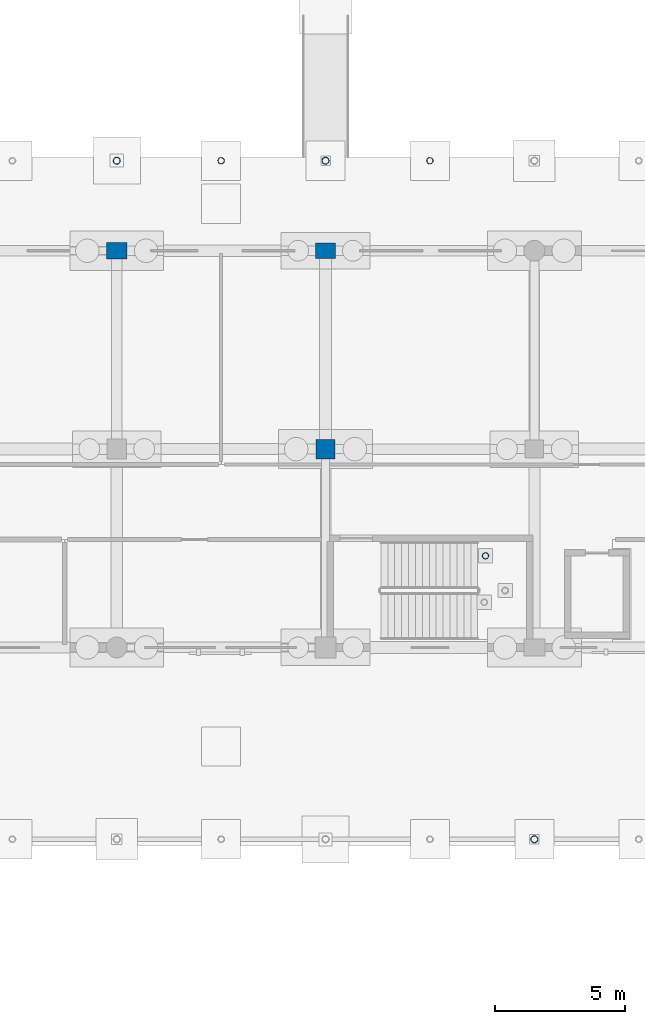
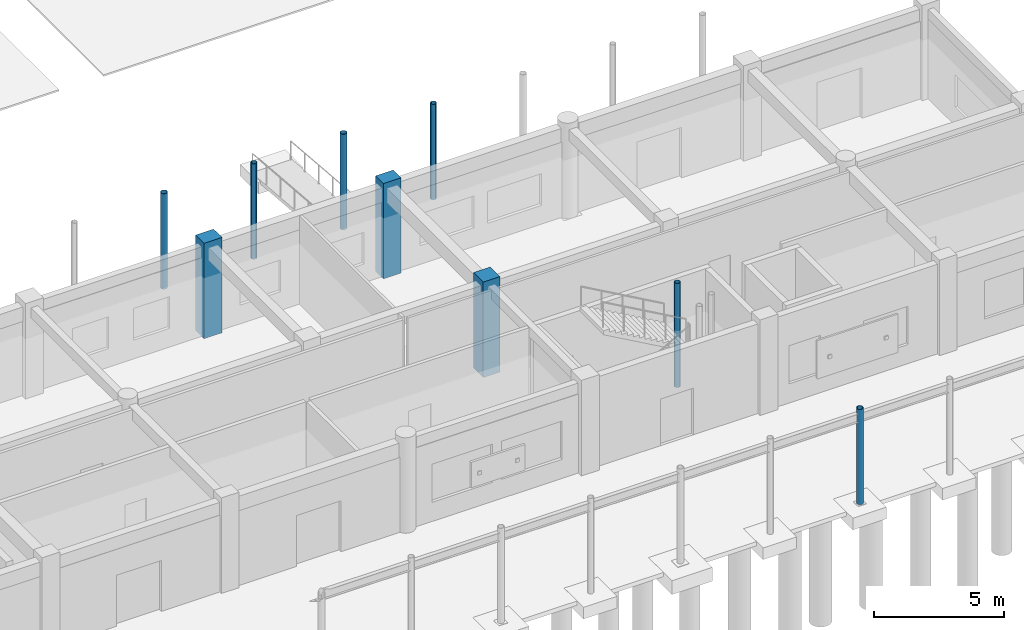
# One storey, part 23 of 166: 9 columns.
"""IFC4 building model written with IfcOpenShell, lengths in metres."""

import ifcopenshell
import ifcopenshell.guid

model = None  # the IFC model being written
_history = None  # IfcOwnerHistory: only IFC2X3 demands one
_inside = {}  # id of a spatial element -> (the spatial element, [elements in it])
_under = {}  # id of a project, library or spatial element -> (it, [spatial elements below it])
_declared = {}  # id of a project -> (the project, [libraries it declares])
_typed = {}  # id of a type object -> (the type object, [elements of that type])
_made_of = {}  # id of a material, layer set ... -> (it, [elements and type objects made of it])


def new_model(schema):
    """Start an empty IFC model of exactly this schema.

    Asked for "IFC4X3", IfcOpenShell would pick the latest addendum, in which some entities
    have other attributes; the version numbers below select the first issue.
    IFC2X3 requires an IfcOwnerHistory on every rooted entity: one is made here for all.
    """
    global model, _history
    if schema == "IFC4X3":
        model = ifcopenshell.file(schema_version=(4, 3, 0, 0))
    else:
        model = ifcopenshell.file(schema=schema)
    _inside.clear()
    _under.clear()
    _declared.clear()
    _typed.clear()
    _made_of.clear()
    _history = None
    if model.schema == "IFC2X3":
        org = make("IfcOrganization", Name="unknown")
        user = make(
            "IfcPersonAndOrganization",
            ThePerson=make("IfcPerson", FamilyName="unknown"),
            TheOrganization=org,
        )
        app = make(
            "IfcApplication",
            ApplicationDeveloper=org,
            Version="unknown",
            ApplicationFullName="unknown",
            ApplicationIdentifier="unknown",
        )
        _history = make(
            "IfcOwnerHistory",
            OwningUser=user,
            OwningApplication=app,
            ChangeAction="ADDED",
            CreationDate=0,
        )
    return model


def make(cls, **values):
    """One entity of the class cls with the attributes given. An attribute that is None is left unset."""
    return model.create_entity(
        cls, **{name: value for name, value in values.items() if value is not None}
    )


def rooted(cls, **values):
    """An entity with a GlobalId (a new one), such as an element, a storey or a relation."""
    return make(cls, GlobalId=ifcopenshell.guid.new(), OwnerHistory=_history, **values)


def si_unit(unit_type, name, prefix=None):
    """IfcSIUnit, for example si_unit("LENGTHUNIT", "METRE", prefix="MILLI")."""
    return make("IfcSIUnit", UnitType=unit_type, Prefix=prefix, Name=name)


def assignment(units):
    """IfcUnitAssignment: the units of a project."""
    return None if units is None else make("IfcUnitAssignment", Units=units)


def point(xyz):
    """IfcCartesianPoint."""
    return None if xyz is None else make("IfcCartesianPoint", Coordinates=xyz)


def direction(xyz):
    """IfcDirection."""
    return None if xyz is None else make("IfcDirection", DirectionRatios=xyz)


def frame(location, z_axis=None, x_axis=None):
    """IfcAxis2Placement3D, a coordinate frame: its origin and axes. An axis left out is left unset."""
    return make(
        "IfcAxis2Placement3D",
        Location=point(location),
        Axis=direction(z_axis),
        RefDirection=direction(x_axis),
    )


def frame_2d(location, x_axis=None):
    """IfcAxis2Placement2D, a coordinate frame in the plane: its origin and x axis."""
    return make(
        "IfcAxis2Placement2D", Location=point(location), RefDirection=direction(x_axis)
    )


def origin():
    """The frame at (0, 0, 0) with its axes left unset."""
    return frame((0.0, 0.0, 0.0))


def origin_2d():
    """The frame at (0, 0) in the plane with its x axis left unset."""
    return frame_2d((0.0, 0.0))


def place(relative_to, where):
    """IfcLocalPlacement: puts the frame where relative to a parent placement (None: the world)."""
    return make(
        "IfcLocalPlacement", PlacementRelTo=relative_to, RelativePlacement=where
    )


def context(
    kind, dimensions, precision=None, world=None, true_north=None, identifier=None
):
    """IfcGeometricRepresentationContext, for example the 3D "Model" context."""
    return make(
        "IfcGeometricRepresentationContext",
        ContextIdentifier=identifier,
        ContextType=kind,
        CoordinateSpaceDimension=dimensions,
        Precision=precision,
        WorldCoordinateSystem=world,
        TrueNorth=true_north,
    )


def subcontext(parent, identifier, kind, view, scale=None):
    """IfcGeometricRepresentationSubContext, for example "Body" below "Model"."""
    return make(
        "IfcGeometricRepresentationSubContext",
        ContextIdentifier=identifier,
        ContextType=kind,
        ParentContext=parent,
        TargetScale=scale,
        TargetView=view,
    )


def project(units=None, contexts=None):
    """IfcProject with its units and contexts."""
    return rooted(
        "IfcProject",
        Name="project",
        RepresentationContexts=contexts,
        UnitsInContext=assignment(units),
    )


def spatial(cls, under=None, at=None, **own):
    """A site, building, storey or space (cls), placed at a placement, below another one or the project."""
    s = rooted(cls, ObjectPlacement=at, **own)
    if under is not None:
        _under.setdefault(under.id(), (under, []))[1].append(s)
    return s


def profile(cls, at=None, kind="AREA", **sizes):
    """A parametric profile (cls). Its sizes go by their IFC names, for example OverallWidth=200.0."""
    return make(cls, ProfileType=kind, Position=at, **sizes)


def rectangle(**sizes):
    """IfcRectangleProfileDef."""
    return profile("IfcRectangleProfileDef", **sizes)


def hollow_circle(**sizes):
    """IfcCircleHollowProfileDef."""
    return profile("IfcCircleHollowProfileDef", **sizes)


def extrude(swept, where, along, depth):
    """IfcExtrudedAreaSolid: the profile swept, set in the frame where, extruded along a direction by depth."""
    return make(
        "IfcExtrudedAreaSolid",
        SweptArea=swept,
        Position=where,
        ExtrudedDirection=direction(along),
        Depth=depth,
    )


def shape(context_of_items, identifier, shape_type, items):
    """IfcShapeRepresentation: the items that make up one representation, for example the "Body"."""
    return make(
        "IfcShapeRepresentation",
        ContextOfItems=context_of_items,
        RepresentationIdentifier=identifier,
        RepresentationType=shape_type,
        Items=items,
    )


def material(Name=None, Category=None):
    """IfcMaterial."""
    return make("IfcMaterial", Name=Name, Category=Category)


def material_profile(
    of_material, cross_section, Name=None, Category=None, Priority=None
):
    """IfcMaterialProfile: a cross section and its material."""
    return make(
        "IfcMaterialProfile",
        Name=Name,
        Material=of_material,
        Profile=cross_section,
        Priority=Priority,
        Category=Category,
    )


def profile_set(profiles, Name=None, composite=None):
    """IfcMaterialProfileSet."""
    return make(
        "IfcMaterialProfileSet",
        Name=Name,
        MaterialProfiles=profiles,
        CompositeProfile=composite,
    )


def made_of(thing, what):
    """Note that an element or type object is made of a material, layer set ...; save() writes the relation."""
    if what is not None:
        _made_of.setdefault(what.id(), (what, []))[1].append(thing)
    return thing


def type_object(cls, material=None, **own):
    """A type object (cls), such as IfcWallType, which elements share."""
    return made_of(rooted(cls, **own), material)


def element(
    cls,
    number,
    at=None,
    inside=None,
    cuts=None,
    type_object=None,
    material=None,
    context=None,
    identifier="Body",
    shape_type=None,
    held_by="IfcProductDefinitionShape",
    body=None,
    shapes=None,
    **own,
):
    """One element of the class cls, such as IfcWall. Its Tag is "e" and its number.

    at: its placement. inside: the storey or other place that contains it. cuts: it is an
    opening in that element (IfcRelVoidsElement). A single representation is given by context,
    identifier, shape_type and body (its items); several are given by shapes. held_by: the class
    of the entity that holds the representations. save() writes the other relations.
    """
    e = rooted(cls, Tag="e%d" % number, ObjectPlacement=at, **own)
    if body is not None:
        shapes = [shape(context, identifier, shape_type, body)]
    if shapes is not None:
        e.Representation = make(held_by, Representations=shapes)
    if inside is not None:
        _inside.setdefault(inside.id(), (inside, []))[1].append(e)
    if cuts is not None:
        rooted(
            "IfcRelVoidsElement", RelatingBuildingElement=cuts, RelatedOpeningElement=e
        )
    if type_object is not None:
        _typed.setdefault(type_object.id(), (type_object, []))[1].append(e)
    return made_of(e, material)


def aggregate(whole, parts):
    """IfcRelAggregates: a whole, such as a stair, and the parts it consists of."""
    return rooted("IfcRelAggregates", RelatingObject=whole, RelatedObjects=parts)


def save(model, path):
    """Write the relations noted so far, then the file.

    IfcRelAggregates (storeys below a building ...), IfcRelContainedInSpatialStructure (elements
    in a storey), IfcRelDefinesByType, IfcRelAssociatesMaterial and IfcRelDeclares: one each for
    every whole, place, type object, material and project.
    """
    for whole, parts in _under.values():
        aggregate(whole, parts)
    for where, things in _inside.values():
        rooted(
            "IfcRelContainedInSpatialStructure",
            RelatedElements=things,
            RelatingStructure=where,
        )
    for kind, things in _typed.values():
        rooted("IfcRelDefinesByType", RelatedObjects=things, RelatingType=kind)
    for what, things in _made_of.values():
        rooted("IfcRelAssociatesMaterial", RelatedObjects=things, RelatingMaterial=what)
    for by, libraries in _declared.values():
        rooted("IfcRelDeclares", RelatingContext=by, RelatedDefinitions=libraries)
    model.write(path)


model = new_model("IFC4")

# Units and contexts
model_context = context("Model", 3, precision=1e-05, world=origin(), true_north=direction((0.0, 1.0)))
body_context = subcontext(model_context, "Body", "Model", "MODEL_VIEW")
ifc_project = project(units=[si_unit("LENGTHUNIT", "METRE"), si_unit("AREAUNIT", "SQUARE_METRE"), si_unit("VOLUMEUNIT", "CUBIC_METRE"), si_unit("PLANEANGLEUNIT", "RADIAN"), si_unit("MASSUNIT", "GRAM", prefix="KILO")], contexts=[model_context])

# Site, building, storey
site_placement = place(None, origin())
site = spatial("IfcSite", under=ifc_project, at=site_placement, CompositionType="ELEMENT")
building_placement = place(site_placement, origin())
building = spatial("IfcBuilding", under=site, at=building_placement, Name="Kharva Crest Polytechnic", CompositionType="ELEMENT")
storey_placement = place(building_placement, origin())
storey = spatial("IfcBuildingStorey", under=building, at=storey_placement, Name="L00", CompositionType="ELEMENT", Elevation=0.0)

# Columns
ifc_material_1 = material(Name="Concrete C40/50", Category="concrete")
ifc_material_profile_1 = material_profile(ifc_material_1, rectangle(XDim=0.780029296875, YDim=0.60009765625, at=origin_2d()), Name="RECT 780 X 600")
ifc_profile_set_1 = profile_set([ifc_material_profile_1], Name="Concrete C40/50")
column_type_1 = type_object("IfcColumnType", Name="COL-EXT-780X600", PredefinedType="COLUMN", material=ifc_profile_set_1)
column_1_placement = place(storey_placement, frame((88.0, 22.800048828125, 0.0), z_axis=(0.0, 0.0, 1.0), x_axis=(1.0, 0.0, 0.0)))
element("IfcColumn", 1, at=column_1_placement, inside=storey, type_object=column_type_1, Name="L00 Column 12/D", PredefinedType="COLUMN", context=body_context, shape_type="SweptSolid", body=[
    extrude(rectangle(XDim=0.780029296875, YDim=0.60009765625, at=origin_2d()), origin(), (0.0, 0.0, 1.0), 4.5),
])
ifc_material_profile_2 = material_profile(ifc_material_1, rectangle(XDim=0.800048828125, YDim=0.64990234375, at=origin_2d()), Name="RECT 800 X 650")
ifc_profile_set_2 = profile_set([ifc_material_profile_2], Name="Concrete C40/50")
column_type_2 = type_object("IfcColumnType", Name="COL-EXT-800X650", PredefinedType="COLUMN", material=ifc_profile_set_2)
column_2_placement = place(storey_placement, frame((80.0, 22.800048828125, 0.0), z_axis=(0.0, 0.0, 1.0), x_axis=(1.0, 0.0, 0.0)))
element("IfcColumn", 2, at=column_2_placement, inside=storey, type_object=column_type_2, Name="L00 Column 11/D", PredefinedType="COLUMN", context=body_context, shape_type="SweptSolid", body=[
    extrude(rectangle(XDim=0.800048828125, YDim=0.64990234375, at=origin_2d()), origin(), (0.0, 0.0, 1.0), 4.5),
])
ifc_material_profile_3 = material_profile(ifc_material_1, rectangle(XDim=0.739990234375, YDim=0.739990234375, at=origin_2d()), Name="RECT 740 X 740")
ifc_profile_set_3 = profile_set([ifc_material_profile_3], Name="Concrete C40/50")
column_type_3 = type_object("IfcColumnType", Name="COL-INT-740X740", PredefinedType="COLUMN", material=ifc_profile_set_3)
column_3_placement = place(storey_placement, frame((88.0, 15.199951171875, 0.0), z_axis=(0.0, 0.0, 1.0), x_axis=(1.0, 0.0, 0.0)))
element("IfcColumn", 3, at=column_3_placement, inside=storey, type_object=column_type_3, Name="L00 Column 12/C", PredefinedType="COLUMN", context=body_context, shape_type="SweptSolid", body=[
    extrude(rectangle(XDim=0.739990234375, YDim=0.739990234375, at=origin_2d()), origin(), (0.0, 0.0, 1.0), 4.5),
])
ifc_material_2 = material(Name="Steel S355", Category="steel")
ifc_material_profile_4 = material_profile(ifc_material_2, hollow_circle(Radius=0.122314453125, WallThickness=0.010009765625, at=origin_2d()), Name="CHS 244.5X10.0")
ifc_profile_set_4 = profile_set([ifc_material_profile_4], Name="Steel S355")
column_type_4 = type_object("IfcColumnType", Name="COL-STL-CHS244", PredefinedType="COLUMN", material=ifc_profile_set_4)
for number, where, z_axis, x_axis, name in (
    (4, (84.0, 26.25, 0.0), (0.0, 0.0, 1.0), (1.0, 0.0, 0.0), "L00 Colonnade Mid Column VSM03"),
    (5, (92.0, 26.25, 0.0), (0.0, 0.0, 1.0), (1.0, 0.0, 0.0), "L00 Colonnade Mid Column VSM04"),
):
    element("IfcColumn", number, at=place(storey_placement, frame(where, z_axis=z_axis, x_axis=x_axis)), inside=storey, type_object=column_type_4, Name=name, PredefinedType="COLUMN", context=body_context, shape_type="SweptSolid", body=[
        extrude(hollow_circle(Radius=0.122314453125, WallThickness=0.010009765625, at=origin_2d()), origin(), (0.0, 0.0, 1.0), 4.5),
    ])
column_4_placement = place(storey_placement, frame((94.1298828125, 11.110107421875, -0.405029296875), z_axis=(0.0, 0.0, 1.0), x_axis=(1.0, 0.0, 0.0)))
element("IfcColumn", 6, at=column_4_placement, inside=storey, type_object=column_type_4, Name="L00 Stair ST-08 Landing Support Column NW", PredefinedType="COLUMN", context=body_context, shape_type="SweptSolid", body=[
    extrude(hollow_circle(Radius=0.122314453125, WallThickness=0.010009765625, at=origin_2d()), origin(), (0.0, 0.0, 1.0), 4.905029296875),
])
ifc_material_profile_5 = material_profile(ifc_material_2, hollow_circle(Radius=0.136474609375, WallThickness=0.012451171875, at=origin_2d()), Name="CHS 273.0X12.5")
ifc_profile_set_5 = profile_set([ifc_material_profile_5], Name="Steel S355")
column_type_5 = type_object("IfcColumnType", Name="COL-STL-CHS273", PredefinedType="COLUMN", material=ifc_profile_set_5)
for number, where, z_axis, x_axis, name in (
    (7, (80.0, 26.25, 0.0), (0.0, 0.0, 1.0), (1.0, 0.0, 0.0), "L00 Colonnade Column VS03"),
    (8, (88.0, 26.25, 0.0), (0.0, 0.0, 1.0), (1.0, 0.0, 0.0), "L00 Colonnade Column VS04"),
    (9, (96.0, 0.25, 0.0), (0.0, 0.0, 1.0), (1.0, 0.0, 0.0), "L00 Colonnade Column AS05"),
):
    element("IfcColumn", number, at=place(storey_placement, frame(where, z_axis=z_axis, x_axis=x_axis)), inside=storey, type_object=column_type_5, Name=name, PredefinedType="COLUMN", context=body_context, shape_type="SweptSolid", body=[
        extrude(hollow_circle(Radius=0.136474609375, WallThickness=0.012451171875, at=origin_2d()), origin(), (0.0, 0.0, 1.0), 4.5),
    ])

save(model, "model.ifc")
